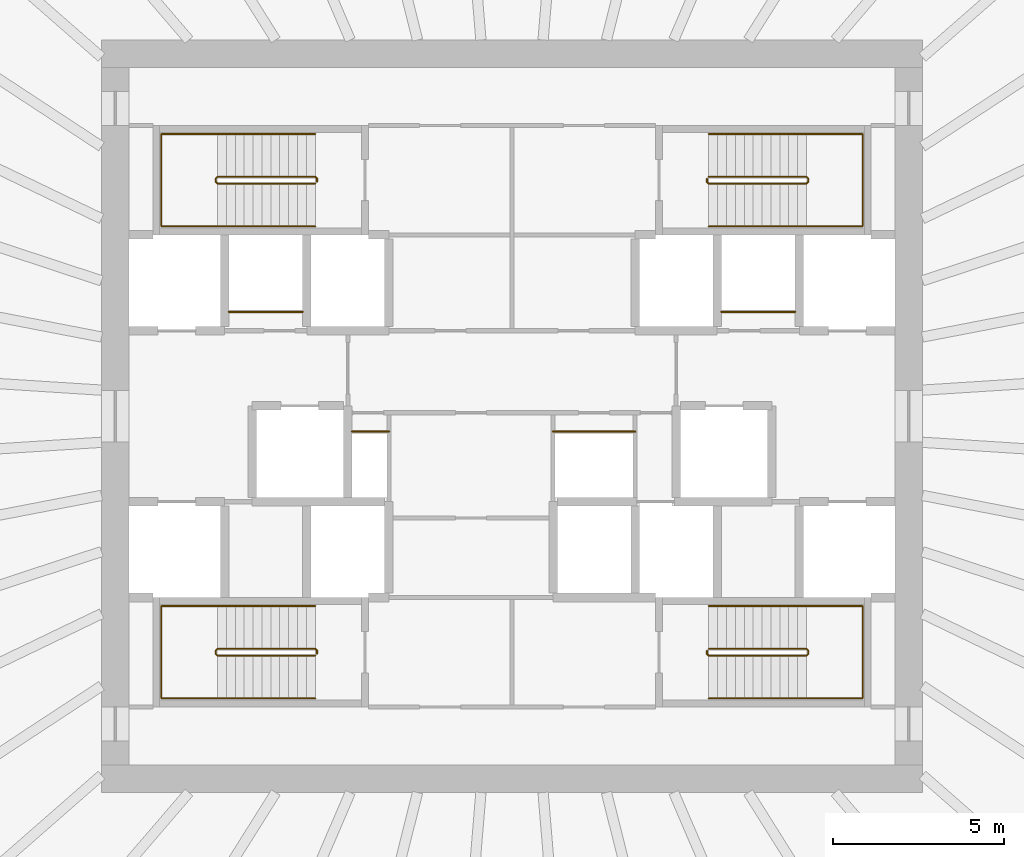
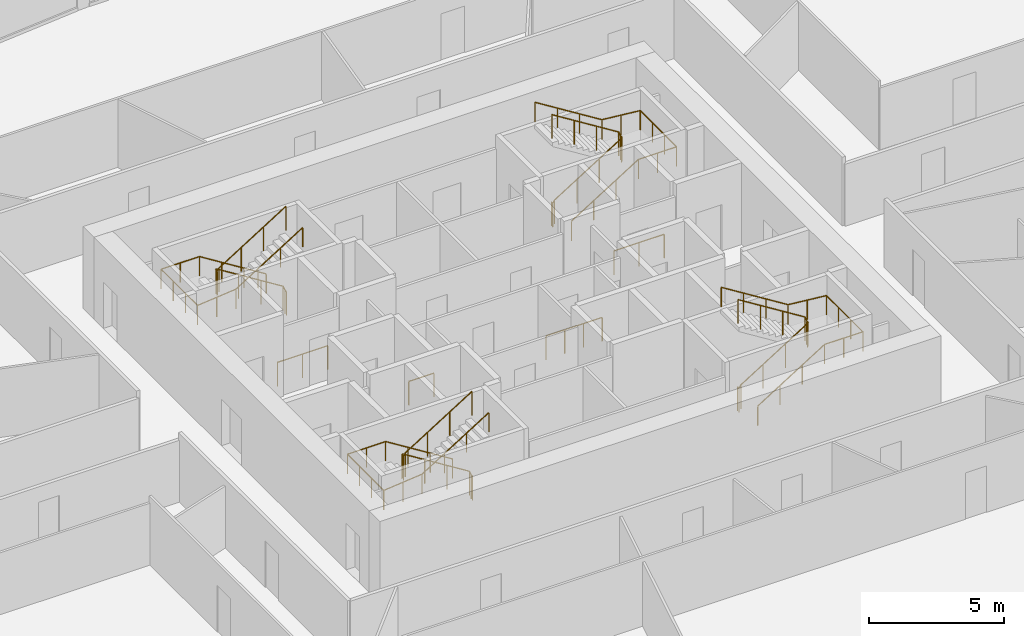
# One storey, part 12 of 12: 12 railings.
"""IFC4 building model written with IfcOpenShell, lengths in metres."""

from ifc_helpers import new_model, si_unit, direction, frame, origin, origin_2d, place, context, subcontext, project, spatial, circle, extrude, source, transform, mapped, material, type_object, element, save


model = new_model("IFC4")

# Units and contexts
model_context = context("Model", 3, precision=1e-05, world=origin(), true_north=direction((0.0, 1.0)))
body_context = subcontext(model_context, "Body", "Model", "MODEL_VIEW")
ifc_project = project(units=[si_unit("LENGTHUNIT", "METRE"), si_unit("AREAUNIT", "SQUARE_METRE"), si_unit("VOLUMEUNIT", "CUBIC_METRE"), si_unit("PLANEANGLEUNIT", "RADIAN"), si_unit("MASSUNIT", "GRAM", prefix="KILO")], contexts=[model_context])

# Site, building, storey
site_placement = place(None, origin())
site = spatial("IfcSite", under=ifc_project, at=site_placement, CompositionType="ELEMENT")
building_placement = place(site_placement, origin())
building = spatial("IfcBuilding", under=site, at=building_placement, Name="Embergate Tower", CompositionType="ELEMENT")
storey_placement = place(building_placement, frame((0.0, 0.0, 159.89990234375)))
storey = spatial("IfcBuildingStorey", under=building, at=storey_placement, Name="L35", CompositionType="ELEMENT", Elevation=159.89990234375)

# Railings
ifc_material_1 = material(Name="Stair guard 1100")
railing_type_1 = type_object("IfcRailingType", Name="Stair guard 1100", PredefinedType="GUARDRAIL", material=ifc_material_1)
shared_shape_1 = source(origin(), body_context, "Body", "SweptSolid", [
    extrude(circle(Radius=0.02392578125, at=origin_2d()), frame((0.0, 0.0, 1.076171875), z_axis=(0.0, 1.0, 0.0), x_axis=(-1.0, 0.0, 0.0)), (0.0, 0.0, 1.0), 0.099853515625),
    extrude(circle(Radius=0.02392578125, at=origin_2d()), frame((0.0, 0.099853515625, 1.076171875), z_axis=(-0.282227285176, 0.282227285176, 0.916894497205), x_axis=(-0.707106781187, -0.707106781187, 0.0)), (0.0, 0.0, 1.0), 0.17724609375),
    extrude(circle(Radius=0.02392578125, at=origin_2d()), frame((-0.050048828125, 0.14990234375, 1.23876953125), z_axis=(-0.847994237388, 0.0, 0.530005446535), x_axis=(0.0, -1.0, 0.0)), (0.0, 0.0, 1.0), 3.372802734375),
    extrude(circle(Radius=0.02392578125, at=origin_2d()), frame((-2.91015625, 0.14990234375, 3.0263671875), z_axis=(-0.705375805398, -0.708833529934, 0.0), x_axis=(0.708833529934, -0.705375805398, 0.0)), (0.0, 0.0, 1.0), 0.070556640625),
    extrude(circle(Radius=0.02392578125, at=origin_2d()), frame((-2.9599609375, 0.099853515625, 3.0263671875), z_axis=(0.0, -1.0, 0.0), x_axis=(1.0, 0.0, 0.0)), (0.0, 0.0, 1.0), 0.099853515625),
    extrude(circle(Radius=0.02392578125, at=origin_2d()), frame((-2.9599609375, 0.0, 3.0263671875), z_axis=(0.281314826061, -0.282693820306, 0.917031173188), x_axis=(0.708833529934, 0.705375805398, 0.0)), (0.0, 0.0, 1.0), 0.177001953125),
    extrude(circle(Radius=0.02392578125, at=origin_2d()), frame((-2.91015625, -0.050048828125, 3.1884765625), z_axis=(0.847994237388, 0.0, 0.530005446535), x_axis=(0.0, 1.0, 0.0)), (0.0, 0.0, 1.0), 3.372802734375),
    extrude(circle(Radius=0.02099609375, at=origin_2d()), origin(), (0.0, 0.0, 1.0), 1.052001953125),
    extrude(circle(Radius=0.02099609375, at=origin_2d()), frame((0.0, 0.099853515625, 0.0)), (0.0, 0.0, 1.0), 1.052001953125),
    extrude(circle(Radius=0.02099609375, at=origin_2d()), frame((-0.050048828125, 0.14990234375, 0.16259765625)), (0.0, 0.0, 1.0), 1.052001953125),
    extrude(circle(Radius=0.02099609375, at=origin_2d()), frame((-1.00341796875, 0.14990234375, 0.758544921875)), (0.0, 0.0, 1.0), 1.052001953125),
    extrude(circle(Radius=0.02099609375, at=origin_2d()), frame((-1.956787109375, 0.14990234375, 1.354248046875)), (0.0, 0.0, 1.0), 1.052001953125),
    extrude(circle(Radius=0.02099609375, at=origin_2d()), frame((-2.91015625, 0.14990234375, 1.9501953125)), (0.0, 0.0, 1.0), 1.052001953125),
    extrude(circle(Radius=0.02099609375, at=origin_2d()), frame((-2.9599609375, 0.099853515625, 1.9501953125)), (0.0, 0.0, 1.0), 1.052001953125),
    extrude(circle(Radius=0.02099609375, at=origin_2d()), frame((-2.9599609375, 0.0, 1.9501953125)), (0.0, 0.0, 1.0), 1.052001953125),
    extrude(circle(Radius=0.02099609375, at=origin_2d()), frame((-2.91015625, -0.050048828125, 2.112548828125)), (0.0, 0.0, 1.0), 1.052001953125),
    extrude(circle(Radius=0.02099609375, at=origin_2d()), frame((-1.956787109375, -0.050048828125, 2.70849609375)), (0.0, 0.0, 1.0), 1.052001953125),
    extrude(circle(Radius=0.02099609375, at=origin_2d()), frame((-1.00341796875, -0.050048828125, 3.30419921875)), (0.0, 0.0, 1.0), 1.052001953125),
    extrude(circle(Radius=0.02099609375, at=origin_2d()), frame((-0.050048828125, -0.050048828125, 3.900146484375)), (0.0, 0.0, 1.0), 1.052001953125),
])
for number, where, name in (
    (1, (-5.699951171875, 6.85009765625, 0.0), "L35 ST1 stair guard 1"),
    (2, (-5.699951171875, -6.949951171875, 0.0), "L35 ST3 stair guard 1"),
):
    element("IfcRailing", number, at=place(storey_placement, frame(where)), inside=storey, type_object=railing_type_1, Name=name, PredefinedType="GUARDRAIL", context=body_context, shape_type="MappedRepresentation", body=[
        mapped(shared_shape_1, transform((0.0, 0.0, 0.0))),
    ])
ifc_material_2 = material(Name="Stair handrail 900")
railing_type_2 = type_object("IfcRailingType", Name="Stair handrail 900", PredefinedType="HANDRAIL", material=ifc_material_2)
shared_shape_2 = source(origin(), body_context, "Body", "SweptSolid", [
    extrude(circle(Radius=0.02392578125, at=origin_2d()), frame((0.0, 0.0, 0.8759765625), z_axis=(-0.847994237388, 0.0, 0.530005446535), x_axis=(0.0, -1.0, 0.0)), (0.0, 0.0, 1.0), 3.372802734375),
    extrude(circle(Radius=0.02392578125, at=origin_2d()), frame((-2.860107421875, 0.0, 2.66357421875), z_axis=(-1.0, 0.0, 0.0), x_axis=(0.0, -1.0, 0.0)), (0.0, 0.0, 1.0), 1.639892578125),
    extrude(circle(Radius=0.02392578125, at=origin_2d()), frame((-4.5, 0.0, 2.66357421875), z_axis=(0.0, -1.0, 0.0), x_axis=(1.0, 0.0, 0.0)), (0.0, 0.0, 1.0), 2.699951171875),
    extrude(circle(Radius=0.02392578125, at=origin_2d()), frame((-4.5, -2.699951171875, 2.66357421875), z_axis=(0.995134983717, 0.0, 0.098520881967), x_axis=(0.0, 1.0, 0.0)), (0.0, 0.0, 1.0), 1.64794921875),
    extrude(circle(Radius=0.02392578125, at=origin_2d()), frame((-2.860107421875, -2.699951171875, 2.82568359375), z_axis=(0.847994237388, 0.0, 0.530005446535), x_axis=(0.0, 1.0, 0.0)), (0.0, 0.0, 1.0), 3.372802734375),
    extrude(circle(Radius=0.02099609375, at=origin_2d()), origin(), (0.0, 0.0, 1.0), 0.851806640625),
    extrude(circle(Radius=0.02099609375, at=origin_2d()), frame((-0.953369140625, 0.0, 0.595947265625)), (0.0, 0.0, 1.0), 0.851806640625),
    extrude(circle(Radius=0.02099609375, at=origin_2d()), frame((-1.90673828125, 0.0, 1.191650390625)), (0.0, 0.0, 1.0), 0.851806640625),
    extrude(circle(Radius=0.02099609375, at=origin_2d()), frame((-2.860107421875, 0.0, 1.78759765625)), (0.0, 0.0, 1.0), 0.851806640625),
    extrude(circle(Radius=0.02099609375, at=origin_2d()), frame((-3.68017578125, 0.0, 1.78759765625)), (0.0, 0.0, 1.0), 0.851806640625),
    extrude(circle(Radius=0.02099609375, at=origin_2d()), frame((-4.5, 0.0, 1.78759765625)), (0.0, 0.0, 1.0), 0.851806640625),
    extrude(circle(Radius=0.02099609375, at=origin_2d()), frame((-4.5, -0.89990234375, 1.78759765625)), (0.0, 0.0, 1.0), 0.851806640625),
    extrude(circle(Radius=0.02099609375, at=origin_2d()), frame((-4.5, -1.800048828125, 1.78759765625)), (0.0, 0.0, 1.0), 0.851806640625),
    extrude(circle(Radius=0.02099609375, at=origin_2d()), frame((-4.5, -2.699951171875, 1.78759765625)), (0.0, 0.0, 1.0), 0.851806640625),
    extrude(circle(Radius=0.02099609375, at=origin_2d()), frame((-3.68017578125, -2.699951171875, 1.86865234375)), (0.0, 0.0, 1.0), 0.851806640625),
    extrude(circle(Radius=0.02099609375, at=origin_2d()), frame((-2.860107421875, -2.699951171875, 1.949951171875)), (0.0, 0.0, 1.0), 0.851806640625),
    extrude(circle(Radius=0.02099609375, at=origin_2d()), frame((-1.90673828125, -2.699951171875, 2.5458984375)), (0.0, 0.0, 1.0), 0.851806640625),
    extrude(circle(Radius=0.02099609375, at=origin_2d()), frame((-0.953369140625, -2.699951171875, 3.1416015625)), (0.0, 0.0, 1.0), 0.851806640625),
    extrude(circle(Radius=0.02099609375, at=origin_2d()), frame((0.0, -2.699951171875, 3.737548828125)), (0.0, 0.0, 1.0), 0.851806640625),
])
for number, where, name in (
    (3, (-5.75, 8.25, 0.16259765625), "L35 ST1 stair handrail 1"),
    (4, (-5.75, -5.550048828125, 0.16259765625), "L35 ST3 stair handrail 1"),
):
    element("IfcRailing", number, at=place(storey_placement, frame(where)), inside=storey, type_object=railing_type_2, Name=name, PredefinedType="HANDRAIL", context=body_context, shape_type="MappedRepresentation", body=[
        mapped(shared_shape_2, transform((0.0, 0.0, 0.0))),
    ])
shared_shape_3 = source(origin(), body_context, "Body", "SweptSolid", [
    extrude(circle(Radius=0.02392578125, at=origin_2d()), frame((0.0, 0.0, 1.076171875), z_axis=(0.0, -1.0, 0.0), x_axis=(1.0, 0.0, 0.0)), (0.0, 0.0, 1.0), 0.099853515625),
    extrude(circle(Radius=0.02392578125, at=origin_2d()), frame((0.0, -0.099853515625, 1.076171875), z_axis=(0.282227285176, -0.282227285176, 0.916894497205), x_axis=(0.707106781187, 0.707106781187, 0.0)), (0.0, 0.0, 1.0), 0.17724609375),
    extrude(circle(Radius=0.02392578125, at=origin_2d()), frame((0.050048828125, -0.14990234375, 1.23876953125), z_axis=(0.847994237388, 0.0, 0.530005446535), x_axis=(0.0, 1.0, 0.0)), (0.0, 0.0, 1.0), 3.372802734375),
    extrude(circle(Radius=0.02392578125, at=origin_2d()), frame((2.91015625, -0.14990234375, 3.0263671875), z_axis=(0.705375805398, 0.708833529934, 0.0), x_axis=(-0.708833529934, 0.705375805398, 0.0)), (0.0, 0.0, 1.0), 0.070556640625),
    extrude(circle(Radius=0.02392578125, at=origin_2d()), frame((2.9599609375, -0.099853515625, 3.0263671875), z_axis=(0.0, 1.0, 0.0), x_axis=(-1.0, 0.0, 0.0)), (0.0, 0.0, 1.0), 0.099853515625),
    extrude(circle(Radius=0.02392578125, at=origin_2d()), frame((2.9599609375, 0.0, 3.0263671875), z_axis=(-0.281314826061, 0.282693820306, 0.917031173188), x_axis=(-0.708833529934, -0.705375805398, 0.0)), (0.0, 0.0, 1.0), 0.177001953125),
    extrude(circle(Radius=0.02392578125, at=origin_2d()), frame((2.91015625, 0.050048828125, 3.1884765625), z_axis=(-0.847994237388, 0.0, 0.530005446535), x_axis=(0.0, -1.0, 0.0)), (0.0, 0.0, 1.0), 3.372802734375),
    extrude(circle(Radius=0.02099609375, at=origin_2d()), origin(), (0.0, 0.0, 1.0), 1.052001953125),
    extrude(circle(Radius=0.02099609375, at=origin_2d()), frame((0.0, -0.099853515625, 0.0)), (0.0, 0.0, 1.0), 1.052001953125),
    extrude(circle(Radius=0.02099609375, at=origin_2d()), frame((0.050048828125, -0.14990234375, 0.16259765625)), (0.0, 0.0, 1.0), 1.052001953125),
    extrude(circle(Radius=0.02099609375, at=origin_2d()), frame((1.00341796875, -0.14990234375, 0.758544921875)), (0.0, 0.0, 1.0), 1.052001953125),
    extrude(circle(Radius=0.02099609375, at=origin_2d()), frame((1.956787109375, -0.14990234375, 1.354248046875)), (0.0, 0.0, 1.0), 1.052001953125),
    extrude(circle(Radius=0.02099609375, at=origin_2d()), frame((2.91015625, -0.14990234375, 1.9501953125)), (0.0, 0.0, 1.0), 1.052001953125),
    extrude(circle(Radius=0.02099609375, at=origin_2d()), frame((2.9599609375, -0.099853515625, 1.9501953125)), (0.0, 0.0, 1.0), 1.052001953125),
    extrude(circle(Radius=0.02099609375, at=origin_2d()), frame((2.9599609375, 0.0, 1.9501953125)), (0.0, 0.0, 1.0), 1.052001953125),
    extrude(circle(Radius=0.02099609375, at=origin_2d()), frame((2.91015625, 0.050048828125, 2.112548828125)), (0.0, 0.0, 1.0), 1.052001953125),
    extrude(circle(Radius=0.02099609375, at=origin_2d()), frame((1.956787109375, 0.050048828125, 2.70849609375)), (0.0, 0.0, 1.0), 1.052001953125),
    extrude(circle(Radius=0.02099609375, at=origin_2d()), frame((1.00341796875, 0.050048828125, 3.30419921875)), (0.0, 0.0, 1.0), 1.052001953125),
    extrude(circle(Radius=0.02099609375, at=origin_2d()), frame((0.050048828125, 0.050048828125, 3.900146484375)), (0.0, 0.0, 1.0), 1.052001953125),
])
for number, where, name in (
    (5, (5.699951171875, 6.949951171875, 0.0), "L35 ST2 stair guard 1"),
    (6, (5.699951171875, -6.85009765625, 0.0), "L35 ST4 stair guard 1"),
):
    element("IfcRailing", number, at=place(storey_placement, frame(where)), inside=storey, type_object=railing_type_1, Name=name, PredefinedType="GUARDRAIL", context=body_context, shape_type="MappedRepresentation", body=[
        mapped(shared_shape_3, transform((0.0, 0.0, 0.0))),
    ])
shared_shape_4 = source(origin(), body_context, "Body", "SweptSolid", [
    extrude(circle(Radius=0.02392578125, at=origin_2d()), frame((0.0, 0.0, 0.8759765625), z_axis=(0.847994237388, 0.0, 0.530005446535), x_axis=(0.0, 1.0, 0.0)), (0.0, 0.0, 1.0), 3.372802734375),
    extrude(circle(Radius=0.02392578125, at=origin_2d()), frame((2.860107421875, 0.0, 2.66357421875), z_axis=(1.0, 0.0, 0.0), x_axis=(0.0, 1.0, 0.0)), (0.0, 0.0, 1.0), 1.639892578125),
    extrude(circle(Radius=0.02392578125, at=origin_2d()), frame((4.5, 0.0, 2.66357421875), z_axis=(0.0, 1.0, 0.0), x_axis=(-1.0, 0.0, 0.0)), (0.0, 0.0, 1.0), 2.699951171875),
    extrude(circle(Radius=0.02392578125, at=origin_2d()), frame((4.5, 2.699951171875, 2.66357421875), z_axis=(-0.995134983717, 0.0, 0.098520881967), x_axis=(0.0, -1.0, 0.0)), (0.0, 0.0, 1.0), 1.64794921875),
    extrude(circle(Radius=0.02392578125, at=origin_2d()), frame((2.860107421875, 2.699951171875, 2.82568359375), z_axis=(-0.847994237388, 0.0, 0.530005446535), x_axis=(0.0, -1.0, 0.0)), (0.0, 0.0, 1.0), 3.372802734375),
    extrude(circle(Radius=0.02099609375, at=origin_2d()), origin(), (0.0, 0.0, 1.0), 0.851806640625),
    extrude(circle(Radius=0.02099609375, at=origin_2d()), frame((0.953369140625, 0.0, 0.595947265625)), (0.0, 0.0, 1.0), 0.851806640625),
    extrude(circle(Radius=0.02099609375, at=origin_2d()), frame((1.90673828125, 0.0, 1.191650390625)), (0.0, 0.0, 1.0), 0.851806640625),
    extrude(circle(Radius=0.02099609375, at=origin_2d()), frame((2.860107421875, 0.0, 1.78759765625)), (0.0, 0.0, 1.0), 0.851806640625),
    extrude(circle(Radius=0.02099609375, at=origin_2d()), frame((3.68017578125, 0.0, 1.78759765625)), (0.0, 0.0, 1.0), 0.851806640625),
    extrude(circle(Radius=0.02099609375, at=origin_2d()), frame((4.5, 0.0, 1.78759765625)), (0.0, 0.0, 1.0), 0.851806640625),
    extrude(circle(Radius=0.02099609375, at=origin_2d()), frame((4.5, 0.89990234375, 1.78759765625)), (0.0, 0.0, 1.0), 0.851806640625),
    extrude(circle(Radius=0.02099609375, at=origin_2d()), frame((4.5, 1.800048828125, 1.78759765625)), (0.0, 0.0, 1.0), 0.851806640625),
    extrude(circle(Radius=0.02099609375, at=origin_2d()), frame((4.5, 2.699951171875, 1.78759765625)), (0.0, 0.0, 1.0), 0.851806640625),
    extrude(circle(Radius=0.02099609375, at=origin_2d()), frame((3.68017578125, 2.699951171875, 1.86865234375)), (0.0, 0.0, 1.0), 0.851806640625),
    extrude(circle(Radius=0.02099609375, at=origin_2d()), frame((2.860107421875, 2.699951171875, 1.949951171875)), (0.0, 0.0, 1.0), 0.851806640625),
    extrude(circle(Radius=0.02099609375, at=origin_2d()), frame((1.90673828125, 2.699951171875, 2.5458984375)), (0.0, 0.0, 1.0), 0.851806640625),
    extrude(circle(Radius=0.02099609375, at=origin_2d()), frame((0.953369140625, 2.699951171875, 3.1416015625)), (0.0, 0.0, 1.0), 0.851806640625),
    extrude(circle(Radius=0.02099609375, at=origin_2d()), frame((0.0, 2.699951171875, 3.737548828125)), (0.0, 0.0, 1.0), 0.851806640625),
])
for number, where, name in (
    (7, (5.75, 5.550048828125, 0.16259765625), "L35 ST2 stair handrail 1"),
    (8, (5.75, -8.25, 0.16259765625), "L35 ST4 stair handrail 1"),
):
    element("IfcRailing", number, at=place(storey_placement, frame(where)), inside=storey, type_object=railing_type_2, Name=name, PredefinedType="HANDRAIL", context=body_context, shape_type="MappedRepresentation", body=[
        mapped(shared_shape_4, transform((0.0, 0.0, 0.0))),
    ])
ifc_material_3 = material(Name="Opening guard 1100")
railing_type_3 = type_object("IfcRailingType", Name="Opening guard 1100", PredefinedType="GUARDRAIL", material=ifc_material_3)
shared_shape_5 = source(origin(), body_context, "Body", "SweptSolid", [
    extrude(circle(Radius=0.02392578125, at=origin_2d()), frame((0.0, 0.0, 1.076171875), z_axis=(1.0, 0.0, 0.0), x_axis=(0.0, 1.0, 0.0)), (0.0, 0.0, 1.0), 2.14990234375),
    extrude(circle(Radius=0.02099609375, at=origin_2d()), origin(), (0.0, 0.0, 1.0), 1.052001953125),
    extrude(circle(Radius=0.02099609375, at=origin_2d()), frame((1.074951171875, 0.0, 0.0)), (0.0, 0.0, 1.0), 1.052001953125),
    extrude(circle(Radius=0.02099609375, at=origin_2d()), frame((2.14990234375, 0.0, 0.0)), (0.0, 0.0, 1.0), 1.052001953125),
])
for number, where, name in (
    (9, (-8.27490234375, 3.050048828125, 0.0), "Riser opening guard"),
    (10, (6.125, 3.050048828125, 0.0), "Riser opening guard"),
):
    element("IfcRailing", number, at=place(storey_placement, frame(where)), inside=storey, type_object=railing_type_3, Name=name, PredefinedType="GUARDRAIL", context=body_context, shape_type="MappedRepresentation", body=[
        mapped(shared_shape_5, transform((0.0, 0.0, 0.0))),
    ])
shared_shape_6 = source(origin(), body_context, "Body", "SweptSolid", [
    extrude(circle(Radius=0.02392578125, at=origin_2d()), frame((0.0, 0.0, 1.076171875), z_axis=(1.0, 0.0, 0.0), x_axis=(0.0, 1.0, 0.0)), (0.0, 0.0, 1.0), 1.074951171875),
    extrude(circle(Radius=0.02099609375, at=origin_2d()), origin(), (0.0, 0.0, 1.0), 1.052001953125),
    extrude(circle(Radius=0.02099609375, at=origin_2d()), frame((1.074951171875, 0.0, 0.0)), (0.0, 0.0, 1.0), 1.052001953125),
])
railing_1_placement = place(storey_placement, frame((-4.675048828125, -0.449951171875, 0.0)))
element("IfcRailing", 11, at=railing_1_placement, inside=storey, type_object=railing_type_3, Name="Riser opening guard", PredefinedType="GUARDRAIL", context=body_context, shape_type="MappedRepresentation", body=[
    mapped(shared_shape_6, transform((0.0, 0.0, 0.0))),
])
shared_shape_7 = source(origin(), body_context, "Body", "SweptSolid", [
    extrude(circle(Radius=0.02392578125, at=origin_2d()), frame((0.0, 0.0, 1.076171875), z_axis=(1.0, 0.0, 0.0), x_axis=(0.0, 1.0, 0.0)), (0.0, 0.0, 1.0), 2.400146484375),
    extrude(circle(Radius=0.02099609375, at=origin_2d()), origin(), (0.0, 0.0, 1.0), 1.052001953125),
    extrude(circle(Radius=0.02099609375, at=origin_2d()), frame((0.800048828125, 0.0, 0.0)), (0.0, 0.0, 1.0), 1.052001953125),
    extrude(circle(Radius=0.02099609375, at=origin_2d()), frame((1.60009765625, 0.0, 0.0)), (0.0, 0.0, 1.0), 1.052001953125),
    extrude(circle(Radius=0.02099609375, at=origin_2d()), frame((2.400146484375, 0.0, 0.0)), (0.0, 0.0, 1.0), 1.052001953125),
])
railing_2_placement = place(storey_placement, frame((1.199951171875, -0.449951171875, 0.0)))
element("IfcRailing", 12, at=railing_2_placement, inside=storey, type_object=railing_type_3, Name="Riser opening guard", PredefinedType="GUARDRAIL", context=body_context, shape_type="MappedRepresentation", body=[
    mapped(shared_shape_7, transform((0.0, 0.0, 0.0))),
])

save(model, "model.ifc")
